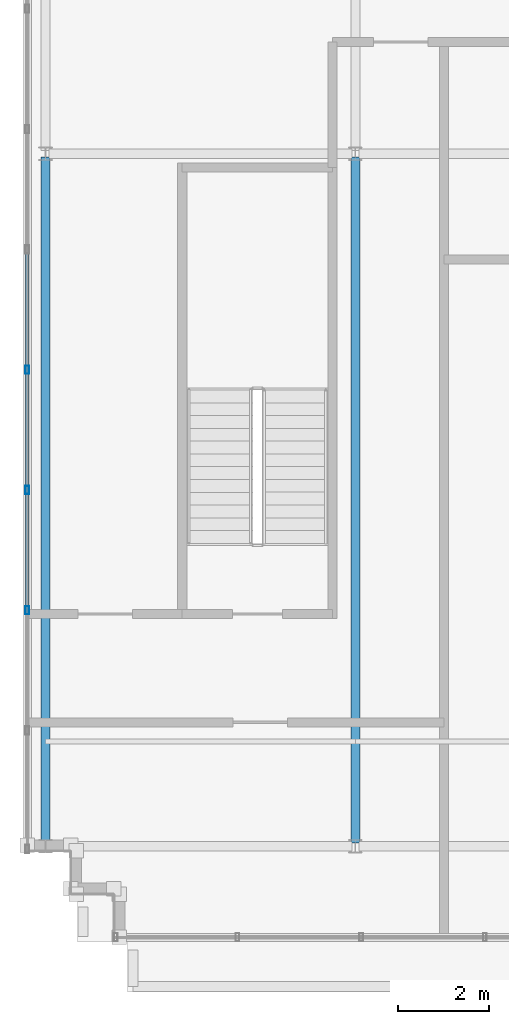
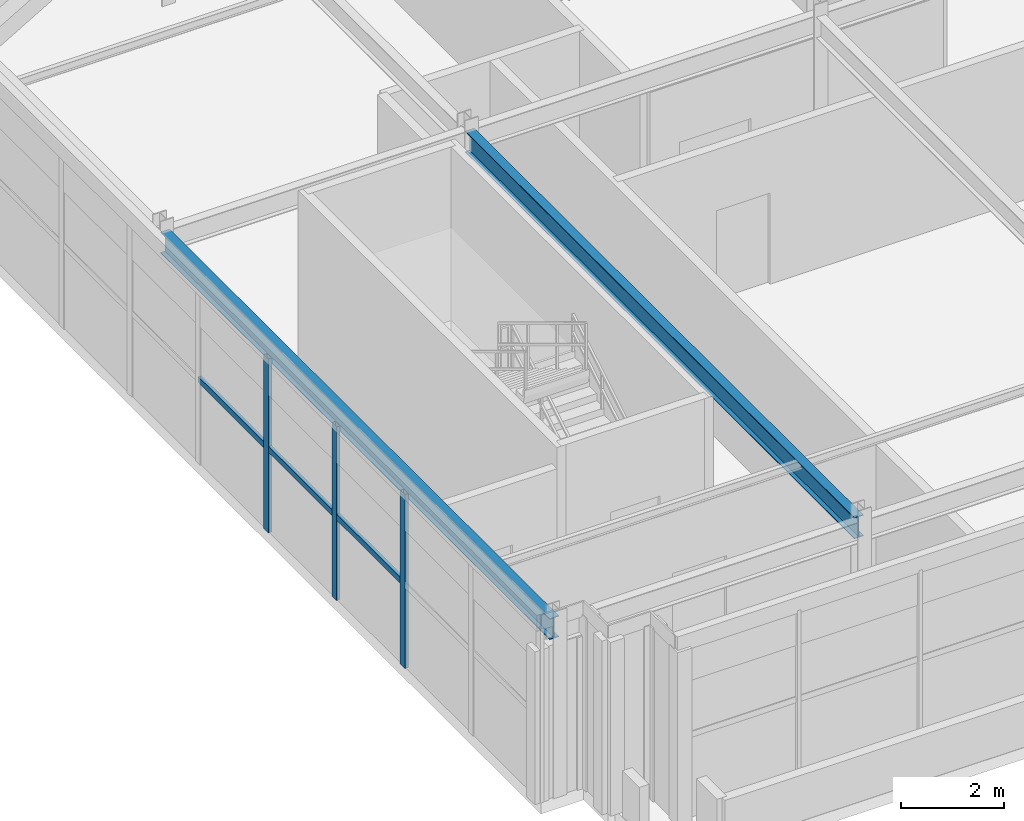
# One storey, part 5 of 31: 6 members, 2 beams, 1 element without a shape of its own.
"""IFC4 building model written with IfcOpenShell, lengths in metres."""

from ifc_helpers import new_model, si_unit, direction, frame, origin, origin_2d, place, context, subcontext, project, spatial, hollow_rectangle, i_section, extrude, source, transform, mapped, material, material_profile, profile_set, type_object, element, aggregate, save


model = new_model("IFC4")

# Units and contexts
model_context = context("Model", 3, precision=1e-05, world=origin(), true_north=direction((0.0, 1.0)))
body_context = subcontext(model_context, "Body", "Model", "MODEL_VIEW")
ifc_project = project(units=[si_unit("LENGTHUNIT", "METRE"), si_unit("AREAUNIT", "SQUARE_METRE"), si_unit("VOLUMEUNIT", "CUBIC_METRE"), si_unit("PLANEANGLEUNIT", "RADIAN"), si_unit("MASSUNIT", "GRAM", prefix="KILO")], contexts=[model_context])

# Site, building, storey
site_placement = place(None, origin())
site = spatial("IfcSite", under=ifc_project, at=site_placement, CompositionType="ELEMENT")
building_placement = place(site_placement, origin())
building = spatial("IfcBuilding", under=site, at=building_placement, Name="Trelvane Seafront Commons", CompositionType="ELEMENT")
storey_placement = place(building_placement, frame((0.0, 0.0, 307.89990234375)))
storey = spatial("IfcBuildingStorey", under=building, at=storey_placement, Name="L80", CompositionType="ELEMENT", Elevation=307.89990234375)

# Beams
ifc_material_1 = material(Name="Steel SM355 (S355)", Category="steel")
ifc_material_profile_1 = material_profile(ifc_material_1, i_section(OverallWidth=0.199951171875, OverallDepth=0.5, WebThickness=0.010009765625, FlangeThickness=0.01611328125, at=origin_2d()), Name="H-500x200x10x16")
ifc_profile_set_1 = profile_set([ifc_material_profile_1], Name="Steel SM355 (S355)")
beam_type = type_object("IfcBeamType", Name="STR-BM-H500", PredefinedType="BEAM", material=ifc_profile_set_1)
shared_shape_1 = source(origin(), body_context, "Body", "SweptSolid", [
    extrude(i_section(OverallWidth=0.199951171875, OverallDepth=0.5, WebThickness=0.010009765625, FlangeThickness=0.01611328125, at=origin_2d()), origin(), (0.0, 0.0, 1.0), 15.050048828125),
])
for number, where, z_axis, x_axis, name in (
    (1, (8.800048828125, 18.27490234375, 3.85009765625), (0.0, 1.0, 0.0), (-1.0, 0.0, 0.0), "L80 Primary Girder G-22"),
    (2, (15.60009765625, 18.27490234375, 3.85009765625), (0.0, 1.0, 0.0), (-1.0, 0.0, 0.0), "L80 Primary Girder G-24"),
):
    element("IfcBeam", number, at=place(storey_placement, frame(where, z_axis=z_axis, x_axis=x_axis)), inside=storey, type_object=beam_type, Name=name, PredefinedType="BEAM", context=body_context, shape_type="MappedRepresentation", body=[
        mapped(shared_shape_1, transform((0.0, 0.0, 0.0), x_axis=(1.0, 0.0, 0.0), y_axis=(0.0, 1.0, 0.0), z_axis=(0.0, 0.0, 1.0), scale=1.0)),
    ])

# Curtain wall, members
ifc_material_2 = material(Name="Anodised pale-silver aluminium", Category="aluminium")
curtain_wall_type = type_object("IfcCurtainWallType", Name="ARCH-CW6-CROWN", PredefinedType="NOTDEFINED", material=ifc_material_2)
curtain_wall_placement = place(storey_placement, origin())
curtain_wall = element("IfcCurtainWall", 3, at=curtain_wall_placement, inside=storey, type_object=curtain_wall_type, Name="CW-L80-0136", PredefinedType="NOTDEFINED")
ifc_material_profile_2 = material_profile(ifc_material_2, hollow_rectangle(XDim=0.080078125, YDim=0.179931640625, WallThickness=0.00439453125, at=origin_2d()), Name="MULL-80x180x4.5")
ifc_profile_set_2 = profile_set([ifc_material_profile_2], Name="Anodised pale-silver aluminium")
member_type_1 = type_object("IfcMemberType", Name="ARCH-CW-MULL-180", PredefinedType="MULLION", material=ifc_profile_set_2)
shared_shape_2 = source(origin(), body_context, "Body", "SweptSolid", [
    extrude(hollow_rectangle(XDim=0.080078125, YDim=0.179931640625, WallThickness=0.00439453125, at=origin_2d()), origin(), (0.0, 0.0, 1.0), 4.10009765625),
])
member_1_placement = place(storey_placement, frame((8.39990234375, 23.3798828125, 0.0), z_axis=(0.0, 0.0, 1.0), x_axis=(1.0, 0.0, 0.0)))
member_1 = element("IfcMember", 4, at=member_1_placement, type_object=member_type_1, Name="CW-L80-0136-M02", PredefinedType="MULLION", context=body_context, shape_type="MappedRepresentation", body=[
    mapped(shared_shape_2, transform((0.0, 0.0, 0.0), x_axis=(1.0, 0.0, 0.0), y_axis=(0.0, 1.0, 0.0), z_axis=(0.0, 0.0, 1.0), scale=1.0)),
])
member_2_placement = place(storey_placement, frame((8.39990234375, 26.02001953125, 0.0), z_axis=(0.0, 0.0, 1.0), x_axis=(1.0, 0.0, 0.0)))
member_2 = element("IfcMember", 5, at=member_2_placement, type_object=member_type_1, Name="CW-L80-0136-M03", PredefinedType="MULLION", context=body_context, shape_type="MappedRepresentation", body=[
    mapped(shared_shape_2, transform((0.0, 0.0, 0.0), x_axis=(1.0, 0.0, 0.0), y_axis=(0.0, 1.0, 0.0), z_axis=(0.0, 0.0, 1.0), scale=1.0)),
])
member_3_placement = place(storey_placement, frame((8.39990234375, 28.659912109375, 0.0), z_axis=(0.0, 0.0, 1.0), x_axis=(1.0, 0.0, 0.0)))
member_3 = element("IfcMember", 6, at=member_3_placement, type_object=member_type_1, Name="CW-L80-0136-M04", PredefinedType="MULLION", context=body_context, shape_type="MappedRepresentation", body=[
    mapped(shared_shape_2, transform((0.0, 0.0, 0.0), x_axis=(1.0, 0.0, 0.0), y_axis=(0.0, 1.0, 0.0), z_axis=(0.0, 0.0, 1.0), scale=1.0)),
])
ifc_material_profile_3 = material_profile(ifc_material_2, hollow_rectangle(XDim=0.074951171875, YDim=0.139892578125, WallThickness=0.00390625, at=origin_2d()), Name="TRAN-75x140x4")
ifc_profile_set_3 = profile_set([ifc_material_profile_3], Name="Anodised pale-silver aluminium")
member_type_2 = type_object("IfcMemberType", Name="ARCH-CW-TRAN-140", PredefinedType="USERDEFINED", material=ifc_profile_set_3)
shared_shape_3 = source(origin(), body_context, "Body", "SweptSolid", [
    extrude(hollow_rectangle(XDim=0.074951171875, YDim=0.139892578125, WallThickness=0.00390625, at=origin_2d()), origin(), (0.0, 0.0, 1.0), 2.615966796875),
])
member_4_placement = place(storey_placement, frame((8.39990234375, 23.39208984375, 1.968017578125), z_axis=(0.0, 1.0, 0.0), x_axis=(-1.0, 0.0, 0.0)))
member_4 = element("IfcMember", 7, at=member_4_placement, type_object=member_type_2, Name="CW-L80-0136-T02", ObjectType="TRANSOM", PredefinedType="USERDEFINED", context=body_context, shape_type="MappedRepresentation", body=[
    mapped(shared_shape_3, transform((0.0, 0.0, 0.0), x_axis=(1.0, 0.0, 0.0), y_axis=(0.0, 1.0, 0.0), z_axis=(0.0, 0.0, 1.0), scale=1.0)),
])
member_5_placement = place(storey_placement, frame((8.39990234375, 26.031982421875, 1.968017578125), z_axis=(0.0, 1.0, 0.0), x_axis=(-1.0, 0.0, 0.0)))
member_5 = element("IfcMember", 8, at=member_5_placement, type_object=member_type_2, Name="CW-L80-0136-T03", ObjectType="TRANSOM", PredefinedType="USERDEFINED", context=body_context, shape_type="MappedRepresentation", body=[
    mapped(shared_shape_3, transform((0.0, 0.0, 0.0), x_axis=(1.0, 0.0, 0.0), y_axis=(0.0, 1.0, 0.0), z_axis=(0.0, 0.0, 1.0), scale=1.0)),
])
member_6_placement = place(storey_placement, frame((8.39990234375, 28.672119140625, 1.968017578125), z_axis=(0.0, 1.0, 0.0), x_axis=(-1.0, 0.0, 0.0)))
member_6 = element("IfcMember", 9, at=member_6_placement, type_object=member_type_2, Name="CW-L80-0136-T04", ObjectType="TRANSOM", PredefinedType="USERDEFINED", context=body_context, shape_type="MappedRepresentation", body=[
    mapped(shared_shape_3, transform((0.0, 0.0, 0.0), x_axis=(1.0, 0.0, 0.0), y_axis=(0.0, 1.0, 0.0), z_axis=(0.0, 0.0, 1.0), scale=1.0)),
])
aggregate(curtain_wall, [member_1, member_2, member_3, member_4, member_5, member_6])

save(model, "model.ifc")
